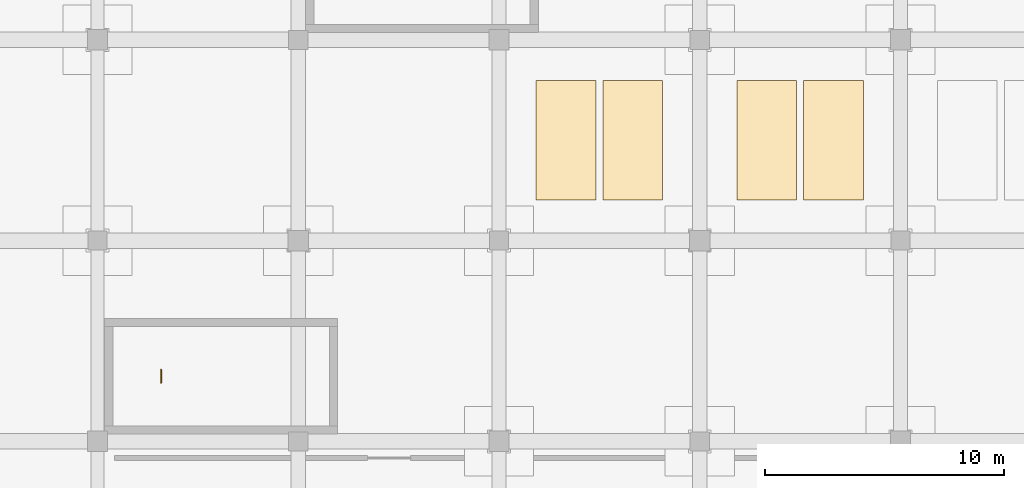
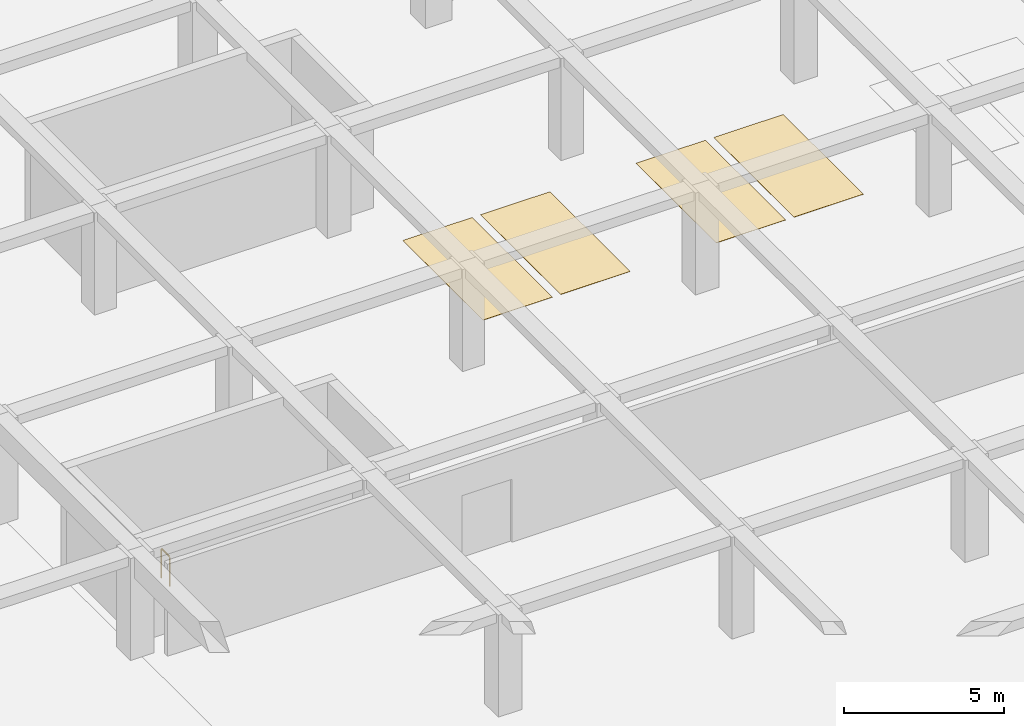
# One storey, part 25 of 32: 4 coverings, 1 railing.
"""IFC4 building model written with IfcOpenShell, lengths in metres."""

from ifc_helpers import new_model, si_unit, direction, frame, origin, origin_2d, place, context, subcontext, project, spatial, rectangle, circle, extrude, material, layer, layer_set, type_object, element, save


model = new_model("IFC4")

# Units and contexts
model_context = context("Model", 3, precision=1e-05, world=origin(), true_north=direction((0.0, 1.0)))
body_context = subcontext(model_context, "Body", "Model", "MODEL_VIEW")
ifc_project = project(units=[si_unit("LENGTHUNIT", "METRE"), si_unit("AREAUNIT", "SQUARE_METRE"), si_unit("VOLUMEUNIT", "CUBIC_METRE"), si_unit("PLANEANGLEUNIT", "RADIAN"), si_unit("MASSUNIT", "GRAM", prefix="KILO")], contexts=[model_context])

# Site, building, storey
site_placement = place(None, origin())
site = spatial("IfcSite", under=ifc_project, at=site_placement, CompositionType="ELEMENT")
building_placement = place(site_placement, origin())
building = spatial("IfcBuilding", under=site, at=building_placement, Name="Almacenes y Pasaje Nevantli", CompositionType="ELEMENT")
storey_placement = place(building_placement, frame((0.0, 0.0, -4.199951171875)))
storey = spatial("IfcBuildingStorey", under=building, at=storey_placement, Name="B01", CompositionType="ELEMENT", Elevation=-4.199951171875)

# Coverings
ifc_material_1 = material(Name="Thermoplastic Traffic Deck Marking", Category="stone")
ifc_layer = layer(ifc_material_1, 0.010009765625)
ifc_layer_set = layer_set([ifc_layer], Name="Thermoplastic Traffic Deck Marking")
covering_type = type_object("IfcCoveringType", Name="COV-PARK-BAY", PredefinedType="FLOORING", material=ifc_layer_set)
for number, where, z_axis, x_axis, name in (
    (1, (112.0, 54.60009765625, 0.0), (0.0, 0.0, 1.0), (1.0, 0.0, 0.0), "B01 Underground Parking Bay Marking #97"),
    (2, (114.800048828125, 54.60009765625, 0.0), (0.0, 0.0, 1.0), (1.0, 0.0, 0.0), "B01 Underground Parking Bay Marking #98"),
    (3, (120.39990234375, 54.60009765625, 0.0), (0.0, 0.0, 1.0), (1.0, 0.0, 0.0), "B01 Underground Parking Bay Marking #99"),
    (4, (123.199951171875, 54.60009765625, 0.0), (0.0, 0.0, 1.0), (1.0, 0.0, 0.0), "B01 Underground Parking Bay Marking #100"),
):
    element("IfcCovering", number, at=place(storey_placement, frame(where, z_axis=z_axis, x_axis=x_axis)), inside=storey, type_object=covering_type, Name=name, PredefinedType="FLOORING", context=body_context, shape_type="SweptSolid", body=[
        extrude(rectangle(XDim=2.5, YDim=5.0, at=origin_2d()), origin(), (0.0, 0.0, 1.0), 0.010009765625),
    ])

# Railing
ifc_material_2 = material(Name="Brushed Stainless Steel and Tempered Safety Glass", Category="steel")
railing_type = type_object("IfcRailingType", Name="RL-GUARD-1100", PredefinedType="BALUSTRADE", material=ifc_material_2)
railing_placement = place(storey_placement, frame((95.06005859375, 44.4599609375, 0.0)))
element("IfcRailing", 5, at=railing_placement, inside=storey, type_object=railing_type, Name="B01 Stair ST-08 Landing Well Slot Guard", PredefinedType="BALUSTRADE", context=body_context, shape_type="SweptSolid", body=[
    extrude(circle(Radius=0.02392578125, at=origin_2d()), frame((0.0, 0.030029296875, 1.1259765625), z_axis=(0.0, 1.0, 0.0), x_axis=(-1.0, 0.0, 0.0)), (0.0, 0.0, 1.0), 0.469970703125),
    extrude(circle(Radius=0.02099609375, at=origin_2d()), origin(), (0.0, 0.0, 1.0), 1.096923828125),
    extrude(circle(Radius=0.02099609375, at=origin_2d()), frame((0.0, 0.530029296875, 0.0)), (0.0, 0.0, 1.0), 1.096923828125),
])

save(model, "model.ifc")
